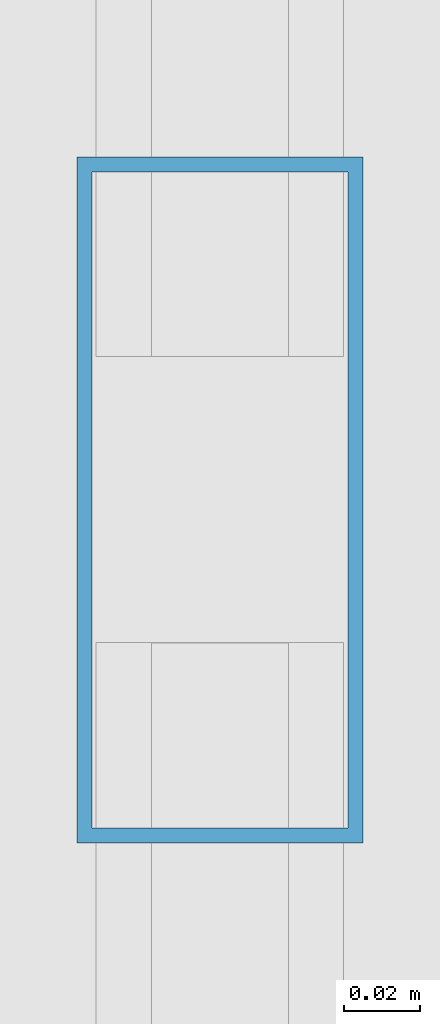
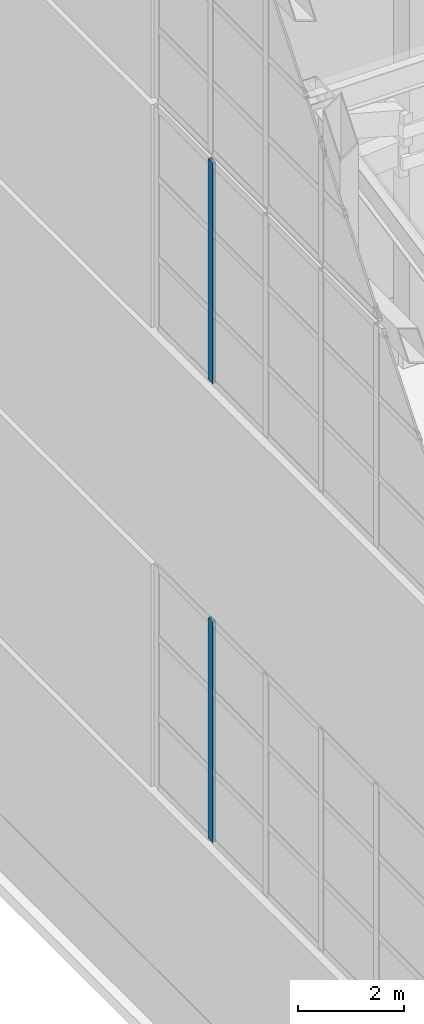
# One storey, part 17 of 47: 2 members, 2 elements without a shape of their own.
"""IFC4 building model written with IfcOpenShell, lengths in metres."""

from ifc_helpers import new_model, si_unit, direction, frame, origin, origin_2d, place, context, subcontext, project, spatial, hollow_rectangle, extrude, material, layer, layer_set, material_profile, profile_set, type_object, element, aggregate, save


model = new_model("IFC4")

# Units and contexts
model_context = context("Model", 3, precision=1e-05, world=origin(), true_north=direction((0.0, 1.0)))
body_context = subcontext(model_context, "Body", "Model", "MODEL_VIEW")
ifc_project = project(units=[si_unit("LENGTHUNIT", "METRE"), si_unit("AREAUNIT", "SQUARE_METRE"), si_unit("VOLUMEUNIT", "CUBIC_METRE"), si_unit("PLANEANGLEUNIT", "RADIAN"), si_unit("MASSUNIT", "GRAM", prefix="KILO")], contexts=[model_context])

# Site, building, storey
site_placement = place(None, origin())
site = spatial("IfcSite", under=ifc_project, at=site_placement, CompositionType="ELEMENT")
building_placement = place(site_placement, origin())
building = spatial("IfcBuilding", under=site, at=building_placement, Name="Qiaolan Cultural Towers", CompositionType="ELEMENT")
storey_placement = place(building_placement, frame((0.0, 0.0, 280.199951171875)))
storey = spatial("IfcBuildingStorey", under=building, at=storey_placement, Name="RF", CompositionType="ELEMENT", Elevation=280.199951171875)

# Curtain wall, member
ifc_material_1 = material(Name="Unitized Anodized Aluminium Curtain Wall System", Category="aluminium")
ifc_layer = layer(ifc_material_1, 0.199951171875)
ifc_layer_set = layer_set([ifc_layer], Name="Unitized Anodized Aluminium Curtain Wall System")
curtain_wall_type = type_object("IfcCurtainWallType", Name="CWS-06", PredefinedType="NOTDEFINED", material=ifc_layer_set)
curtain_wall_1_placement = place(storey_placement, origin())
curtain_wall_1 = element("IfcCurtainWall", 1, at=curtain_wall_1_placement, inside=storey, type_object=curtain_wall_type, Name="T1 Crown Tier 2 Fritted Screen Curtain Wall 7", PredefinedType="NOTDEFINED")
ifc_material_2 = material(Name="Extruded Aluminium 6063-T6", Category="aluminium")
ifc_material_profile = material_profile(ifc_material_2, hollow_rectangle(XDim=0.074951171875, YDim=0.179931640625, WallThickness=0.00390625, at=origin_2d()), Name="CWM-180x75x4")
ifc_profile_set = profile_set([ifc_material_profile], Name="Extruded Aluminium 6063-T6")
member_type = type_object("IfcMemberType", Name="CWS-06-MUL", PredefinedType="MULLION", material=ifc_profile_set)
member_1_placement = place(storey_placement, frame((14.949951171875, 38.179931640625, 5.400146484375), z_axis=(0.0, 0.0, 1.0), x_axis=(1.0, 0.0, 0.0)))
member_1 = element("IfcMember", 2, at=member_1_placement, type_object=member_type, Name="CW-6 mullion 2", PredefinedType="MULLION", context=body_context, shape_type="SweptSolid", body=[
    extrude(hollow_rectangle(XDim=0.074951171875, YDim=0.179931640625, WallThickness=0.00390625, at=origin_2d()), origin(), (0.0, 0.0, 1.0), 5.099853515625),
])
aggregate(curtain_wall_1, [member_1])

curtain_wall_2_placement = place(storey_placement, origin())
curtain_wall_2 = element("IfcCurtainWall", 3, at=curtain_wall_2_placement, inside=storey, type_object=curtain_wall_type, Name="T1 Crown Tier 4 Fritted Screen Curtain Wall 7", PredefinedType="NOTDEFINED")
member_2_placement = place(storey_placement, frame((14.949951171875, 38.179931640625, 16.0), z_axis=(0.0, 0.0, 1.0), x_axis=(1.0, 0.0, 0.0)))
member_2 = element("IfcMember", 4, at=member_2_placement, type_object=member_type, Name="CW-6 mullion 2", PredefinedType="MULLION", context=body_context, shape_type="SweptSolid", body=[
    extrude(hollow_rectangle(XDim=0.074951171875, YDim=0.179931640625, WallThickness=0.00390625, at=origin_2d()), origin(), (0.0, 0.0, 1.0), 5.10009765625),
])
aggregate(curtain_wall_2, [member_2])

save(model, "model.ifc")
